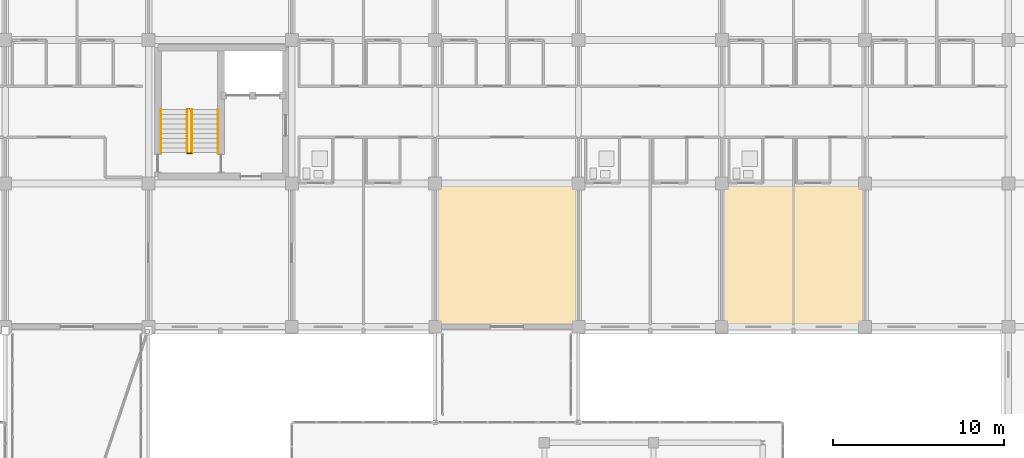
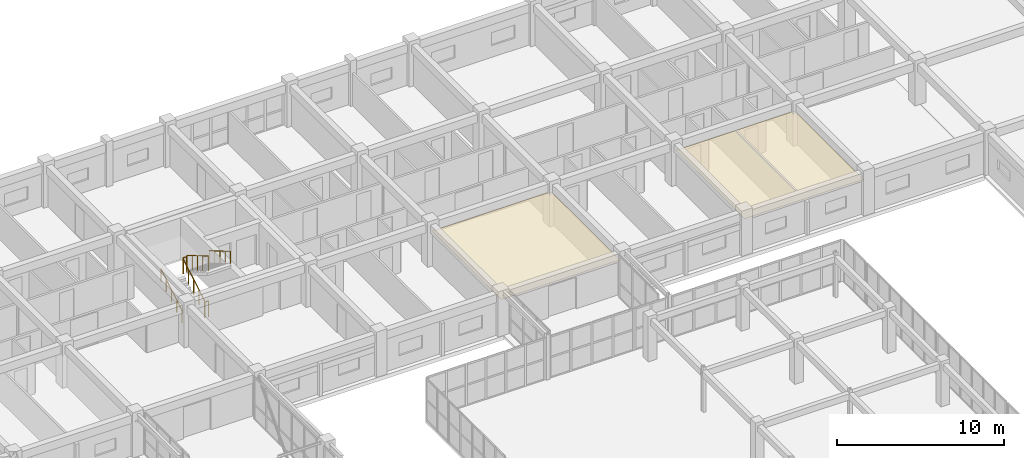
# One storey, part 197 of 200: 6 railings, 2 coverings.
"""IFC4 building model written with IfcOpenShell, lengths in metres."""

from ifc_helpers import new_model, si_unit, direction, frame, origin, origin_2d, place, context, subcontext, project, spatial, polyline, circle, outline, extrude, material, layer, layer_set, type_object, element, save


model = new_model("IFC4")

# Units and contexts
model_context = context("Model", 3, precision=1e-05, world=origin(), true_north=direction((0.0, 1.0)))
body_context = subcontext(model_context, "Body", "Model", "MODEL_VIEW")
ifc_project = project(units=[si_unit("LENGTHUNIT", "METRE"), si_unit("AREAUNIT", "SQUARE_METRE"), si_unit("VOLUMEUNIT", "CUBIC_METRE"), si_unit("PLANEANGLEUNIT", "RADIAN"), si_unit("MASSUNIT", "GRAM", prefix="KILO")], contexts=[model_context])

# Site, building, storey
site_placement = place(None, origin())
site = spatial("IfcSite", under=ifc_project, at=site_placement, CompositionType="ELEMENT")
building_placement = place(site_placement, origin())
building = spatial("IfcBuilding", under=site, at=building_placement, Name="Trelvath General Hospital", CompositionType="ELEMENT")
storey_placement = place(building_placement, frame((0.0, 0.0, 4.800048828125)))
storey = spatial("IfcBuildingStorey", under=building, at=storey_placement, Name="L01", CompositionType="ELEMENT", Elevation=4.800048828125)

# Coverings
ifc_material_1 = material(Name="Hygienic acoustic ceiling tile")
ifc_layer = layer(ifc_material_1, 0.02490234375)
ifc_layer_set = layer_set([ifc_layer], Name="Hygienic acoustic ceiling tile")
covering_type = type_object("IfcCoveringType", Name="Ceiling ClinicalAcoustic", PredefinedType="CEILING", material=ifc_layer_set)
covering_1_placement = place(storey_placement, frame((0.0, 0.0, 2.280029296875)))
element("IfcCovering", 1, at=covering_1_placement, inside=storey, type_object=covering_type, Name="Clinical Acoustic Ceiling L01-23", PredefinedType="CEILING", context=body_context, shape_type="SweptSolid", body=[
    extrude(outline(polyline([(100.89990234375, 92.5), (109.10009765625, 92.5), (109.10009765625, 100.719970703125), (100.89990234375, 100.719970703125), (100.89990234375, 92.5)])), origin(), (0.0, 0.0, 1.0), 0.02490234375),
])
covering_2_placement = place(storey_placement, frame((0.0, 0.0, 2.280029296875)))
element("IfcCovering", 2, at=covering_2_placement, inside=storey, type_object=covering_type, Name="Clinical Acoustic Ceiling L01-24", PredefinedType="CEILING", context=body_context, shape_type="SweptSolid", body=[
    extrude(outline(polyline([(117.699951171875, 92.5), (125.89990234375, 92.5), (125.89990234375, 100.719970703125), (117.699951171875, 100.719970703125), (117.699951171875, 92.5)])), origin(), (0.0, 0.0, 1.0), 0.02490234375),
])

# Railings
ifc_material_2 = material(Name="Architectural painted steel", Category="steel")
railing_type_1 = type_object("IfcRailingType", Name="Guardrail Terrace1150", PredefinedType="GUARDRAIL", material=ifc_material_2)
railing_1_placement = place(storey_placement, frame((86.27001953125, 102.56005859375, 0.0)))
element("IfcRailing", 3, at=railing_1_placement, inside=storey, type_object=railing_type_1, Name="Stair Well Edge Guard C2 L01 54", PredefinedType="GUARDRAIL", context=body_context, shape_type="SweptSolid", body=[
    extrude(circle(Radius=0.02392578125, at=origin_2d()), frame((0.0, 0.0, 1.1259765625), z_axis=(1.0, 0.0, 0.0), x_axis=(0.0, 1.0, 0.0)), (0.0, 0.0, 1.0), 0.260009765625),
    extrude(circle(Radius=0.02099609375, at=origin_2d()), origin(), (0.0, 0.0, 1.0), 1.099853515625),
    extrude(circle(Radius=0.02099609375, at=origin_2d()), frame((0.260009765625, 0.0, 0.0)), (0.0, 0.0, 1.0), 1.099853515625),
])
railing_2_placement = place(storey_placement, frame((86.530029296875, 105.1201171875, 1.81494140625)))
element("IfcRailing", 4, at=railing_2_placement, inside=storey, type_object=railing_type_1, Name="Stair Rail ST2 L01 F2 L 56", PredefinedType="GUARDRAIL", context=body_context, shape_type="SweptSolid", body=[
    extrude(circle(Radius=0.02392578125, at=origin_2d()), frame((0.0, 0.0, 1.076171875), z_axis=(0.0, -0.86152411907, 0.507716645641), x_axis=(1.0, 0.0, 0.0)), (0.0, 0.0, 1.0), 2.925048828125),
    extrude(circle(Radius=0.02099609375, at=origin_2d()), origin(), (0.0, 0.0, 1.0), 1.050048828125),
    extrude(circle(Radius=0.02099609375, at=origin_2d()), frame((0.0, -0.6298828125, 0.371337890625)), (0.0, 0.0, 1.0), 1.050048828125),
    extrude(circle(Radius=0.02099609375, at=origin_2d()), frame((0.0, -1.260009765625, 0.74267578125)), (0.0, 0.0, 1.0), 1.050048828125),
    extrude(circle(Radius=0.02099609375, at=origin_2d()), frame((0.0, -1.89013671875, 1.11376953125)), (0.0, 0.0, 1.0), 1.050048828125),
    extrude(circle(Radius=0.02099609375, at=origin_2d()), frame((0.0, -2.52001953125, 1.485107421875)), (0.0, 0.0, 1.0), 1.050048828125),
])
railing_3_placement = place(storey_placement, frame((86.27001953125, 102.60009765625, 0.1650390625)))
element("IfcRailing", 5, at=railing_3_placement, inside=storey, type_object=railing_type_1, Name="Stair Rail ST2 L01 F1 R 57", PredefinedType="GUARDRAIL", context=body_context, shape_type="SweptSolid", body=[
    extrude(circle(Radius=0.02392578125, at=origin_2d()), frame((0.0, 0.0, 1.076171875), z_axis=(0.0, 0.861560626758, 0.507654692109), x_axis=(-1.0, 0.0, 0.0)), (0.0, 0.0, 1.0), 2.925048828125),
    extrude(circle(Radius=0.02099609375, at=origin_2d()), origin(), (0.0, 0.0, 1.0), 1.050048828125),
    extrude(circle(Radius=0.02099609375, at=origin_2d()), frame((0.0, 0.6298828125, 0.37109375)), (0.0, 0.0, 1.0), 1.050048828125),
    extrude(circle(Radius=0.02099609375, at=origin_2d()), frame((0.0, 1.260009765625, 0.742431640625)), (0.0, 0.0, 1.0), 1.050048828125),
    extrude(circle(Radius=0.02099609375, at=origin_2d()), frame((0.0, 1.89013671875, 1.11376953125)), (0.0, 0.0, 1.0), 1.050048828125),
    extrude(circle(Radius=0.02099609375, at=origin_2d()), frame((0.0, 2.52001953125, 1.48486328125)), (0.0, 0.0, 1.0), 1.050048828125),
])
railing_4_placement = place(storey_placement, frame((86.27001953125, 105.159912109375, 1.64990234375)))
element("IfcRailing", 6, at=railing_4_placement, inside=storey, type_object=railing_type_1, Name="Half-Landing Well Guard ST2 L01 59", PredefinedType="GUARDRAIL", context=body_context, shape_type="SweptSolid", body=[
    extrude(circle(Radius=0.02392578125, at=origin_2d()), frame((0.0, 0.0, 1.1259765625), z_axis=(1.0, 0.0, 0.0), x_axis=(0.0, 1.0, 0.0)), (0.0, 0.0, 1.0), 0.260009765625),
    extrude(circle(Radius=0.02099609375, at=origin_2d()), origin(), (0.0, 0.0, 1.0), 1.099853515625),
    extrude(circle(Radius=0.02099609375, at=origin_2d()), frame((0.260009765625, 0.0, 0.0)), (0.0, 0.0, 1.0), 1.099853515625),
])
ifc_material_3 = material(Name="Brushed stainless steel", Category="steel")
railing_type_2 = type_object("IfcRailingType", Name="Handrail Stair900", PredefinedType="HANDRAIL", material=ifc_material_3)
railing_5_placement = place(storey_placement, frame((84.72998046875, 102.60009765625, 0.1650390625)))
element("IfcRailing", 7, at=railing_5_placement, inside=storey, type_object=railing_type_2, Name="Stair Rail ST2 L01 F1 L 55", PredefinedType="HANDRAIL", context=body_context, shape_type="SweptSolid", body=[
    extrude(circle(Radius=0.02392578125, at=origin_2d()), frame((0.0, 0.0, 0.8759765625), z_axis=(0.0, 0.861560626758, 0.507654692109), x_axis=(-1.0, 0.0, 0.0)), (0.0, 0.0, 1.0), 2.925048828125),
    extrude(circle(Radius=0.02099609375, at=origin_2d()), origin(), (0.0, 0.0, 1.0), 0.849853515625),
    extrude(circle(Radius=0.02099609375, at=origin_2d()), frame((0.0, 0.6298828125, 0.37109375)), (0.0, 0.0, 1.0), 0.849853515625),
    extrude(circle(Radius=0.02099609375, at=origin_2d()), frame((0.0, 1.260009765625, 0.742431640625)), (0.0, 0.0, 1.0), 0.849853515625),
    extrude(circle(Radius=0.02099609375, at=origin_2d()), frame((0.0, 1.89013671875, 1.11376953125)), (0.0, 0.0, 1.0), 0.849853515625),
    extrude(circle(Radius=0.02099609375, at=origin_2d()), frame((0.0, 2.52001953125, 1.48486328125)), (0.0, 0.0, 1.0), 0.849853515625),
])
railing_6_placement = place(storey_placement, frame((88.070068359375, 105.1201171875, 1.81494140625)))
element("IfcRailing", 8, at=railing_6_placement, inside=storey, type_object=railing_type_2, Name="Stair Rail ST2 L01 F2 R 58", PredefinedType="HANDRAIL", context=body_context, shape_type="SweptSolid", body=[
    extrude(circle(Radius=0.02392578125, at=origin_2d()), frame((0.0, 0.0, 0.8759765625), z_axis=(0.0, -0.86152411907, 0.507716645641), x_axis=(1.0, 0.0, 0.0)), (0.0, 0.0, 1.0), 2.925048828125),
    extrude(circle(Radius=0.02099609375, at=origin_2d()), origin(), (0.0, 0.0, 1.0), 0.849853515625),
    extrude(circle(Radius=0.02099609375, at=origin_2d()), frame((0.0, -0.6298828125, 0.371337890625)), (0.0, 0.0, 1.0), 0.849853515625),
    extrude(circle(Radius=0.02099609375, at=origin_2d()), frame((0.0, -1.260009765625, 0.74267578125)), (0.0, 0.0, 1.0), 0.849853515625),
    extrude(circle(Radius=0.02099609375, at=origin_2d()), frame((0.0, -1.89013671875, 1.11376953125)), (0.0, 0.0, 1.0), 0.849853515625),
    extrude(circle(Radius=0.02099609375, at=origin_2d()), frame((0.0, -2.52001953125, 1.485107421875)), (0.0, 0.0, 1.0), 0.849853515625),
])

save(model, "model.ifc")
